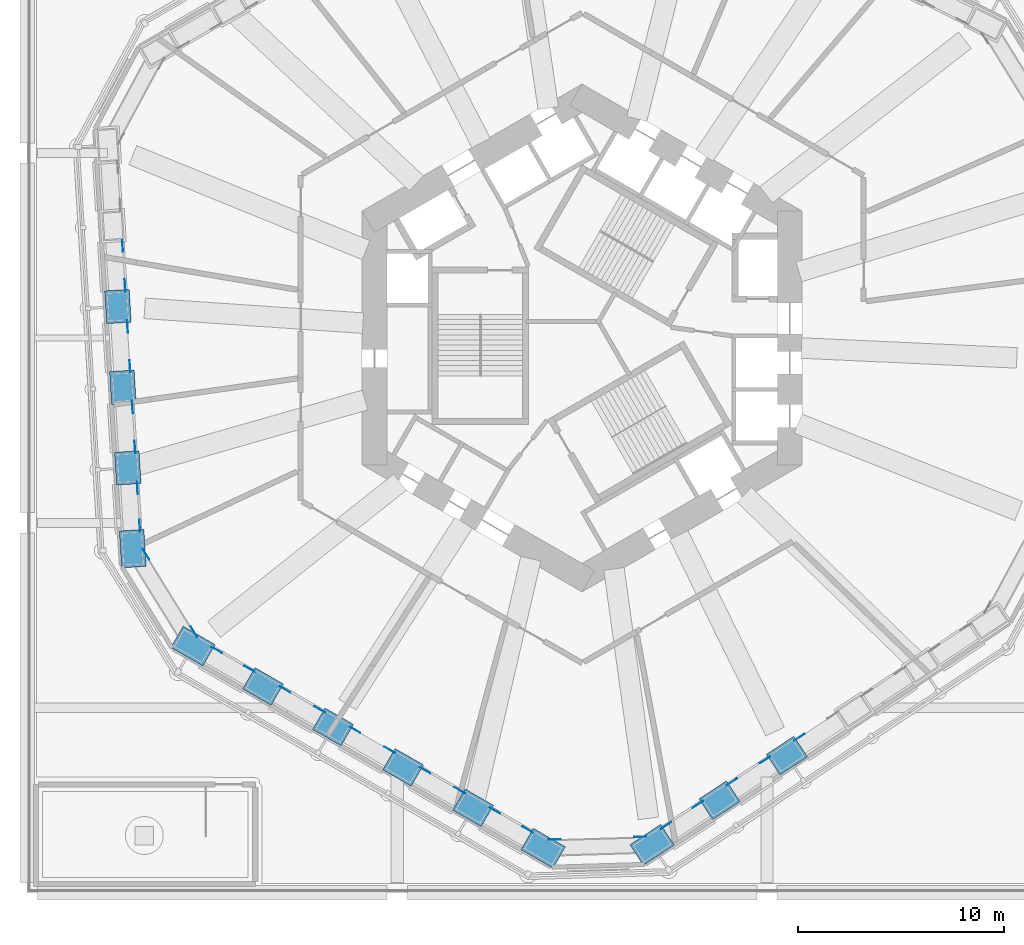
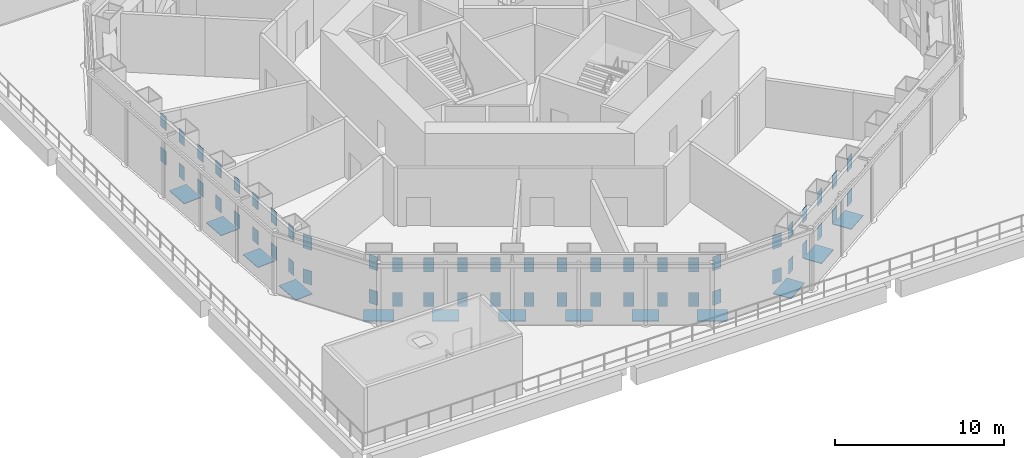
# One storey, part 12 of 20: 67 discrete accessories.
"""IFC4 building model written with IfcOpenShell, lengths in metres."""

import ifcopenshell
import ifcopenshell.guid

model = None  # the IFC model being written
_history = None  # IfcOwnerHistory: only IFC2X3 demands one
_inside = {}  # id of a spatial element -> (the spatial element, [elements in it])
_under = {}  # id of a project, library or spatial element -> (it, [spatial elements below it])
_declared = {}  # id of a project -> (the project, [libraries it declares])
_typed = {}  # id of a type object -> (the type object, [elements of that type])
_made_of = {}  # id of a material, layer set ... -> (it, [elements and type objects made of it])


def new_model(schema):
    """Start an empty IFC model of exactly this schema.

    Asked for "IFC4X3", IfcOpenShell would pick the latest addendum, in which some entities
    have other attributes; the version numbers below select the first issue.
    IFC2X3 requires an IfcOwnerHistory on every rooted entity: one is made here for all.
    """
    global model, _history
    if schema == "IFC4X3":
        model = ifcopenshell.file(schema_version=(4, 3, 0, 0))
    else:
        model = ifcopenshell.file(schema=schema)
    _inside.clear()
    _under.clear()
    _declared.clear()
    _typed.clear()
    _made_of.clear()
    _history = None
    if model.schema == "IFC2X3":
        org = make("IfcOrganization", Name="unknown")
        user = make(
            "IfcPersonAndOrganization",
            ThePerson=make("IfcPerson", FamilyName="unknown"),
            TheOrganization=org,
        )
        app = make(
            "IfcApplication",
            ApplicationDeveloper=org,
            Version="unknown",
            ApplicationFullName="unknown",
            ApplicationIdentifier="unknown",
        )
        _history = make(
            "IfcOwnerHistory",
            OwningUser=user,
            OwningApplication=app,
            ChangeAction="ADDED",
            CreationDate=0,
        )
    return model


def make(cls, **values):
    """One entity of the class cls with the attributes given. An attribute that is None is left unset."""
    return model.create_entity(
        cls, **{name: value for name, value in values.items() if value is not None}
    )


def rooted(cls, **values):
    """An entity with a GlobalId (a new one), such as an element, a storey or a relation."""
    return make(cls, GlobalId=ifcopenshell.guid.new(), OwnerHistory=_history, **values)


def si_unit(unit_type, name, prefix=None):
    """IfcSIUnit, for example si_unit("LENGTHUNIT", "METRE", prefix="MILLI")."""
    return make("IfcSIUnit", UnitType=unit_type, Prefix=prefix, Name=name)


def assignment(units):
    """IfcUnitAssignment: the units of a project."""
    return None if units is None else make("IfcUnitAssignment", Units=units)


def point(xyz):
    """IfcCartesianPoint."""
    return None if xyz is None else make("IfcCartesianPoint", Coordinates=xyz)


def direction(xyz):
    """IfcDirection."""
    return None if xyz is None else make("IfcDirection", DirectionRatios=xyz)


def frame(location, z_axis=None, x_axis=None):
    """IfcAxis2Placement3D, a coordinate frame: its origin and axes. An axis left out is left unset."""
    return make(
        "IfcAxis2Placement3D",
        Location=point(location),
        Axis=direction(z_axis),
        RefDirection=direction(x_axis),
    )


def frame_2d(location, x_axis=None):
    """IfcAxis2Placement2D, a coordinate frame in the plane: its origin and x axis."""
    return make(
        "IfcAxis2Placement2D", Location=point(location), RefDirection=direction(x_axis)
    )


def origin():
    """The frame at (0, 0, 0) with its axes left unset."""
    return frame((0.0, 0.0, 0.0))


def origin_2d():
    """The frame at (0, 0) in the plane with its x axis left unset."""
    return frame_2d((0.0, 0.0))


def place(relative_to, where):
    """IfcLocalPlacement: puts the frame where relative to a parent placement (None: the world)."""
    return make(
        "IfcLocalPlacement", PlacementRelTo=relative_to, RelativePlacement=where
    )


def context(
    kind, dimensions, precision=None, world=None, true_north=None, identifier=None
):
    """IfcGeometricRepresentationContext, for example the 3D "Model" context."""
    return make(
        "IfcGeometricRepresentationContext",
        ContextIdentifier=identifier,
        ContextType=kind,
        CoordinateSpaceDimension=dimensions,
        Precision=precision,
        WorldCoordinateSystem=world,
        TrueNorth=true_north,
    )


def subcontext(parent, identifier, kind, view, scale=None):
    """IfcGeometricRepresentationSubContext, for example "Body" below "Model"."""
    return make(
        "IfcGeometricRepresentationSubContext",
        ContextIdentifier=identifier,
        ContextType=kind,
        ParentContext=parent,
        TargetScale=scale,
        TargetView=view,
    )


def project(units=None, contexts=None):
    """IfcProject with its units and contexts."""
    return rooted(
        "IfcProject",
        Name="project",
        RepresentationContexts=contexts,
        UnitsInContext=assignment(units),
    )


def spatial(cls, under=None, at=None, **own):
    """A site, building, storey or space (cls), placed at a placement, below another one or the project."""
    s = rooted(cls, ObjectPlacement=at, **own)
    if under is not None:
        _under.setdefault(under.id(), (under, []))[1].append(s)
    return s


def profile(cls, at=None, kind="AREA", **sizes):
    """A parametric profile (cls). Its sizes go by their IFC names, for example OverallWidth=200.0."""
    return make(cls, ProfileType=kind, Position=at, **sizes)


def rectangle(**sizes):
    """IfcRectangleProfileDef."""
    return profile("IfcRectangleProfileDef", **sizes)


def extrude(swept, where, along, depth):
    """IfcExtrudedAreaSolid: the profile swept, set in the frame where, extruded along a direction by depth."""
    return make(
        "IfcExtrudedAreaSolid",
        SweptArea=swept,
        Position=where,
        ExtrudedDirection=direction(along),
        Depth=depth,
    )


def shape(context_of_items, identifier, shape_type, items):
    """IfcShapeRepresentation: the items that make up one representation, for example the "Body"."""
    return make(
        "IfcShapeRepresentation",
        ContextOfItems=context_of_items,
        RepresentationIdentifier=identifier,
        RepresentationType=shape_type,
        Items=items,
    )


def material(Name=None, Category=None):
    """IfcMaterial."""
    return make("IfcMaterial", Name=Name, Category=Category)


def layer(
    of_material, thickness, ventilated=None, Name=None, Category=None, Priority=None
):
    """IfcMaterialLayer: one layer of a wall or slab, of a material (None: an air gap)."""
    return make(
        "IfcMaterialLayer",
        Material=of_material,
        LayerThickness=thickness,
        IsVentilated=ventilated,
        Name=Name,
        Category=Category,
        Priority=Priority,
    )


def layer_set(layers, Name=None):
    """IfcMaterialLayerSet."""
    return make("IfcMaterialLayerSet", MaterialLayers=layers, LayerSetName=Name)


def made_of(thing, what):
    """Note that an element or type object is made of a material, layer set ...; save() writes the relation."""
    if what is not None:
        _made_of.setdefault(what.id(), (what, []))[1].append(thing)
    return thing


def type_object(cls, material=None, **own):
    """A type object (cls), such as IfcWallType, which elements share."""
    return made_of(rooted(cls, **own), material)


def element(
    cls,
    number,
    at=None,
    inside=None,
    cuts=None,
    type_object=None,
    material=None,
    context=None,
    identifier="Body",
    shape_type=None,
    held_by="IfcProductDefinitionShape",
    body=None,
    shapes=None,
    **own,
):
    """One element of the class cls, such as IfcWall. Its Tag is "e" and its number.

    at: its placement. inside: the storey or other place that contains it. cuts: it is an
    opening in that element (IfcRelVoidsElement). A single representation is given by context,
    identifier, shape_type and body (its items); several are given by shapes. held_by: the class
    of the entity that holds the representations. save() writes the other relations.
    """
    e = rooted(cls, Tag="e%d" % number, ObjectPlacement=at, **own)
    if body is not None:
        shapes = [shape(context, identifier, shape_type, body)]
    if shapes is not None:
        e.Representation = make(held_by, Representations=shapes)
    if inside is not None:
        _inside.setdefault(inside.id(), (inside, []))[1].append(e)
    if cuts is not None:
        rooted(
            "IfcRelVoidsElement", RelatingBuildingElement=cuts, RelatedOpeningElement=e
        )
    if type_object is not None:
        _typed.setdefault(type_object.id(), (type_object, []))[1].append(e)
    return made_of(e, material)


def aggregate(whole, parts):
    """IfcRelAggregates: a whole, such as a stair, and the parts it consists of."""
    return rooted("IfcRelAggregates", RelatingObject=whole, RelatedObjects=parts)


def save(model, path):
    """Write the relations noted so far, then the file.

    IfcRelAggregates (storeys below a building ...), IfcRelContainedInSpatialStructure (elements
    in a storey), IfcRelDefinesByType, IfcRelAssociatesMaterial and IfcRelDeclares: one each for
    every whole, place, type object, material and project.
    """
    for whole, parts in _under.values():
        aggregate(whole, parts)
    for where, things in _inside.values():
        rooted(
            "IfcRelContainedInSpatialStructure",
            RelatedElements=things,
            RelatingStructure=where,
        )
    for kind, things in _typed.values():
        rooted("IfcRelDefinesByType", RelatedObjects=things, RelatingType=kind)
    for what, things in _made_of.values():
        rooted("IfcRelAssociatesMaterial", RelatedObjects=things, RelatingMaterial=what)
    for by, libraries in _declared.values():
        rooted("IfcRelDeclares", RelatingContext=by, RelatedDefinitions=libraries)
    model.write(path)


model = new_model("IFC4")

# Units and contexts
model_context = context("Model", 3, precision=1e-05, world=origin(), true_north=direction((0.0, 1.0)))
body_context = subcontext(model_context, "Body", "Model", "MODEL_VIEW")
ifc_project = project(units=[si_unit("LENGTHUNIT", "METRE"), si_unit("AREAUNIT", "SQUARE_METRE"), si_unit("VOLUMEUNIT", "CUBIC_METRE"), si_unit("PLANEANGLEUNIT", "RADIAN"), si_unit("MASSUNIT", "GRAM", prefix="KILO")], contexts=[model_context])

# Site, building, storey
site_placement = place(None, origin())
site = spatial("IfcSite", under=ifc_project, at=site_placement, CompositionType="ELEMENT")
building_placement = place(site_placement, origin())
building = spatial("IfcBuilding", under=site, at=building_placement, Name="Vanh Sen Convention Tower", CompositionType="ELEMENT")
storey_placement = place(building_placement, frame((0.0, 0.0, 34.5)))
storey = spatial("IfcBuildingStorey", under=building, at=storey_placement, Name="L05", CompositionType="ELEMENT", Elevation=34.5)

# Discrete accessories
ifc_material = material(Name="Steel S355", Category="steel")
ifc_layer_1 = layer(ifc_material, 0.02001953125)
ifc_layer_set_1 = layer_set([ifc_layer_1], Name="Steel S355")
discrete_accessory_type_1 = type_object("IfcDiscreteAccessoryType", Name="Transfer truss gusset plate 600 x 1000 x 20", PredefinedType="USERDEFINED", material=ifc_layer_set_1)
for number, where, z_axis, x_axis, name in (
    (1, (-22.355712890625, 4.48779296875, 0.0), (0.0, 0.0, 1.0), (0.061048539535, -0.998134798422, 0.0), "GUSSET PLATE transfer truss chord bottom 20 L05 start"),
    (2, (-22.23681640625, 2.546875, 0.0), (0.0, 0.0, 1.0), (-0.061048539535, 0.998134798422, 0.0), "GUSSET PLATE transfer truss chord bottom 20 L05 end"),
    (3, (-22.355712890625, 4.48779296875, 2.5), (0.0, 0.0, 1.0), (0.061048539535, -0.998134798422, 0.0), "GUSSET PLATE transfer truss chord top 20 L05 start"),
    (4, (-22.23681640625, 2.546875, 2.5), (0.0, 0.0, 1.0), (-0.061048539535, 0.998134798422, 0.0), "GUSSET PLATE transfer truss chord top 20 L05 end"),
    (5, (-22.115478515625, 0.560546875, 0.0), (0.0, 0.0, 1.0), (0.061046797461, -0.99813490497, 0.0), "GUSSET PLATE transfer truss chord bottom 21 L05 start"),
    (6, (-21.99658203125, -1.380615234375, 0.0), (0.0, 0.0, 1.0), (-0.061046797461, 0.99813490497, 0.0), "GUSSET PLATE transfer truss chord bottom 21 L05 end"),
    (7, (-22.115478515625, 0.560546875, 2.5), (0.0, 0.0, 1.0), (0.061046797461, -0.99813490497, 0.0), "GUSSET PLATE transfer truss chord top 21 L05 start"),
    (8, (-21.99658203125, -1.380615234375, 2.5), (0.0, 0.0, 1.0), (-0.061046797461, 0.99813490497, 0.0), "GUSSET PLATE transfer truss chord top 21 L05 end"),
    (9, (-21.875244140625, -3.36669921875, 0.0), (0.0, 0.0, 1.0), (0.061048539535, -0.998134798422, 0.0), "GUSSET PLATE transfer truss chord bottom 22 L05 start"),
    (10, (-21.756591796875, -5.3076171875, 0.0), (0.0, 0.0, 1.0), (-0.061048539535, 0.998134798422, 0.0), "GUSSET PLATE transfer truss chord bottom 22 L05 end"),
    (11, (-21.875244140625, -3.36669921875, 2.5), (0.0, 0.0, 1.0), (0.061048539535, -0.998134798422, 0.0), "GUSSET PLATE transfer truss chord top 22 L05 start"),
    (12, (-21.756591796875, -5.3076171875, 2.5), (0.0, 0.0, 1.0), (-0.061048539535, 0.998134798422, 0.0), "GUSSET PLATE transfer truss chord top 22 L05 end"),
    (13, (-21.635009765625, -7.2939453125, 0.0), (0.0, 0.0, 1.0), (0.061046797461, -0.99813490497, 0.0), "GUSSET PLATE transfer truss chord bottom 23 L05 start"),
    (14, (-21.5224609375, -9.13525390625, 0.0), (0.0, 0.0, 1.0), (-0.061046797461, 0.99813490497, 0.0), "GUSSET PLATE transfer truss chord bottom 23 L05 end"),
    (15, (-21.635009765625, -7.2939453125, 2.5), (0.0, 0.0, 1.0), (0.061046797461, -0.99813490497, 0.0), "GUSSET PLATE transfer truss chord top 23 L05 start"),
    (16, (-21.5224609375, -9.13525390625, 2.5), (0.0, 0.0, 1.0), (-0.061046797461, 0.99813490497, 0.0), "GUSSET PLATE transfer truss chord top 23 L05 end"),
    (17, (-21.21630859375, -10.52197265625, 0.0), (0.0, 0.0, 1.0), (0.526202050444, -0.850359572245, 0.0), "GUSSET PLATE transfer truss chord bottom 24 L05 start"),
    (18, (-18.883056640625, -14.29248046875, 0.0), (0.0, 0.0, 1.0), (-0.526202050444, 0.850359572245, 0.0), "GUSSET PLATE transfer truss chord bottom 24 L05 end"),
    (19, (-21.21630859375, -10.52197265625, 2.5), (0.0, 0.0, 1.0), (0.526202050444, -0.850359572245, 0.0), "GUSSET PLATE transfer truss chord top 24 L05 start"),
    (20, (-18.883056640625, -14.29248046875, 2.5), (0.0, 0.0, 1.0), (-0.526202050444, 0.850359572245, 0.0), "GUSSET PLATE transfer truss chord top 24 L05 end"),
    (21, (-17.77880859375, -15.18505859375, 0.0), (0.0, 0.0, 1.0), (0.866028021766, -0.499995465495, 0.0), "GUSSET PLATE transfer truss chord bottom 25 L05 start"),
    (22, (-16.18115234375, -16.107421875, 0.0), (0.0, 0.0, 1.0), (-0.866028021766, 0.499995465495, 0.0), "GUSSET PLATE transfer truss chord bottom 25 L05 end"),
    (23, (-17.77880859375, -15.18505859375, 2.5), (0.0, 0.0, 1.0), (0.866028021766, -0.499995465495, 0.0), "GUSSET PLATE transfer truss chord top 25 L05 start"),
    (24, (-16.18115234375, -16.107421875, 2.5), (0.0, 0.0, 1.0), (-0.866028021766, 0.499995465495, 0.0), "GUSSET PLATE transfer truss chord top 25 L05 end"),
    (25, (-14.457763671875, -17.102294921875, 0.0), (0.0, 0.0, 1.0), (0.866032385017, -0.499987907955, 0.0), "GUSSET PLATE transfer truss chord bottom 26 L05 start"),
    (26, (-12.773681640625, -18.07470703125, 0.0), (0.0, 0.0, 1.0), (-0.866032385017, 0.499987907956, 0.0), "GUSSET PLATE transfer truss chord bottom 26 L05 end"),
    (27, (-14.457763671875, -17.102294921875, 2.5), (0.0, 0.0, 1.0), (0.866032385017, -0.499987907955, 0.0), "GUSSET PLATE transfer truss chord top 26 L05 start"),
    (28, (-12.773681640625, -18.07470703125, 2.5), (0.0, 0.0, 1.0), (-0.866032385017, 0.499987907956, 0.0), "GUSSET PLATE transfer truss chord top 26 L05 end"),
    (29, (-11.05029296875, -19.069580078125, 0.0), (0.0, 0.0, 1.0), (0.866028021766, -0.499995465495, 0.0), "GUSSET PLATE transfer truss chord bottom 27 L05 start"),
    (30, (-9.3662109375, -20.0419921875, 0.0), (0.0, 0.0, 1.0), (-0.866028021766, 0.499995465495, 0.0), "GUSSET PLATE transfer truss chord bottom 27 L05 end"),
    (31, (-11.05029296875, -19.069580078125, 2.5), (0.0, 0.0, 1.0), (0.866028021766, -0.499995465495, 0.0), "GUSSET PLATE transfer truss chord top 27 L05 start"),
    (32, (-9.3662109375, -20.0419921875, 2.5), (0.0, 0.0, 1.0), (-0.866028021766, 0.499995465495, 0.0), "GUSSET PLATE transfer truss chord top 27 L05 end"),
    (33, (-7.642822265625, -21.036865234375, 0.0), (0.0, 0.0, 1.0), (0.866028021766, -0.499995465495, 0.0), "GUSSET PLATE transfer truss chord bottom 28 L05 start"),
    (34, (-5.958740234375, -22.00927734375, 0.0), (0.0, 0.0, 1.0), (-0.866028021766, 0.499995465495, 0.0), "GUSSET PLATE transfer truss chord bottom 28 L05 end"),
    (35, (-7.642822265625, -21.036865234375, 2.5), (0.0, 0.0, 1.0), (0.866028021766, -0.499995465495, 0.0), "GUSSET PLATE transfer truss chord top 28 L05 start"),
    (36, (-5.958740234375, -22.00927734375, 2.5), (0.0, 0.0, 1.0), (-0.866028021766, 0.499995465495, 0.0), "GUSSET PLATE transfer truss chord top 28 L05 end"),
    (37, (-4.2353515625, -23.004150390625, 0.0), (0.0, 0.0, 1.0), (0.866021040428, -0.500007557478, 0.0), "GUSSET PLATE transfer truss chord bottom 29 L05 start"),
    (38, (-2.637939453125, -23.926513671875, 0.0), (0.0, 0.0, 1.0), (-0.866021040428, 0.500007557478, 0.0), "GUSSET PLATE transfer truss chord bottom 29 L05 end"),
    (39, (-4.2353515625, -23.004150390625, 2.5), (0.0, 0.0, 1.0), (0.866021040428, -0.500007557478, 0.0), "GUSSET PLATE transfer truss chord top 29 L05 start"),
    (40, (-2.637939453125, -23.926513671875, 2.5), (0.0, 0.0, 1.0), (-0.866021040428, 0.500007557478, 0.0), "GUSSET PLATE transfer truss chord top 29 L05 end"),
    (41, (-1.341064453125, -24.402099609375, 0.0), (0.0, 0.0, 1.0), (0.999533484231, 0.03054200224, 0.0), "GUSSET PLATE transfer truss chord bottom 30 L05 start"),
    (42, (2.828125, -24.274658203125, 0.0), (0.0, 0.0, 1.0), (-0.999533484231, -0.03054200224, 0.0), "GUSSET PLATE transfer truss chord bottom 30 L05 end"),
    (43, (-1.341064453125, -24.402099609375, 2.5), (0.0, 0.0, 1.0), (0.999533484231, 0.03054200224, 0.0), "GUSSET PLATE transfer truss chord top 30 L05 start"),
    (44, (2.828125, -24.274658203125, 2.5), (0.0, 0.0, 1.0), (-0.999533484231, -0.03054200224, 0.0), "GUSSET PLATE transfer truss chord top 30 L05 end"),
    (45, (4.09375, -23.720947265625, 0.0), (0.0, 0.0, 1.0), (0.833891601892, 0.55192825285, 0.0), "GUSSET PLATE transfer truss chord bottom 31 L05 start"),
    (46, (5.6318359375, -22.702880859375, 0.0), (0.0, 0.0, 1.0), (-0.833891601892, -0.55192825285, 0.0), "GUSSET PLATE transfer truss chord bottom 31 L05 end"),
    (47, (4.09375, -23.720947265625, 2.5), (0.0, 0.0, 1.0), (0.833891601892, 0.55192825285, 0.0), "GUSSET PLATE transfer truss chord top 31 L05 start"),
    (48, (5.6318359375, -22.702880859375, 2.5), (0.0, 0.0, 1.0), (-0.833891601892, -0.55192825285, 0.0), "GUSSET PLATE transfer truss chord top 31 L05 end"),
    (49, (7.29150390625, -21.6044921875, 0.0), (0.0, 0.0, 1.0), (0.833891601892, 0.55192825285, 0.0), "GUSSET PLATE transfer truss chord bottom 32 L05 start"),
    (50, (8.912841796875, -20.53125, 0.0), (0.0, 0.0, 1.0), (-0.833891601892, -0.55192825285, 0.0), "GUSSET PLATE transfer truss chord bottom 32 L05 end"),
    (51, (7.29150390625, -21.6044921875, 2.5), (0.0, 0.0, 1.0), (0.833891601892, 0.55192825285, 0.0), "GUSSET PLATE transfer truss chord top 32 L05 start"),
    (52, (8.912841796875, -20.53125, 2.5), (0.0, 0.0, 1.0), (-0.833891601892, -0.55192825285, 0.0), "GUSSET PLATE transfer truss chord top 32 L05 end"),
    (53, (10.572265625, -19.432861328125, 0.0), (0.0, 0.0, 1.0), (0.833880042151, 0.551945717714, 0.0), "GUSSET PLATE transfer truss chord bottom 33 L05 start"),
    (54, (10.572265625, -19.432861328125, 2.5), (0.0, 0.0, 1.0), (0.833880042151, 0.551945717714, 0.0), "GUSSET PLATE transfer truss chord top 33 L05 start"),
):
    element("IfcDiscreteAccessory", number, at=place(storey_placement, frame(where, z_axis=z_axis, x_axis=x_axis)), inside=storey, type_object=discrete_accessory_type_1, Name=name, ObjectType="GUSSET PLATE", PredefinedType="USERDEFINED", context=body_context, shape_type="SweptSolid", body=[
        extrude(rectangle(XDim=0.60009765625, YDim=0.02001953125, at=origin_2d()), origin(), (0.0, 0.0, 1.0), 1.0),
    ])
ifc_layer_2 = layer(ifc_material, 0.044921875)
ifc_layer_set_2 = layer_set([ifc_layer_2], Name="Steel S355")
discrete_accessory_type_2 = type_object("IfcDiscreteAccessoryType", Name="Transfer truss post bearing plate 1600 x 1200 x 45", PredefinedType="USERDEFINED", material=ifc_layer_set_2)
for number, where, z_axis, x_axis, name in (
    (55, (-22.58544921875, 1.528564453125, -0.39501953125), (0.0, 0.0, 1.0), (0.061048539535, -0.998134798422, 0.0), "BEARING PLATE transfer truss post 21"),
    (56, (-22.34521484375, -2.398681640625, -0.39501953125), (0.0, 0.0, 1.0), (0.061048539535, -0.998134798422, 0.0), "BEARING PLATE transfer truss post 22"),
    (57, (-22.10498046875, -6.325927734375, -0.39501953125), (0.0, 0.0, 1.0), (0.061048539535, -0.998134798422, 0.0), "BEARING PLATE transfer truss post 23"),
    (58, (-15.5244140625, -16.9599609375, -0.39501953125), (0.0, 0.0, 1.0), (0.866025403784, -0.5, 0.0), "BEARING PLATE transfer truss post 26"),
    (59, (-12.1171875, -18.92724609375, -0.39501953125), (0.0, 0.0, 1.0), (0.866025403784, -0.5, 0.0), "BEARING PLATE transfer truss post 27"),
    (60, (-8.709716796875, -20.89453125, -0.39501953125), (0.0, 0.0, 1.0), (0.866025403784, -0.5, 0.0), "BEARING PLATE transfer truss post 28"),
    (61, (-5.302001953125, -22.86181640625, -0.39501953125), (0.0, 0.0, 1.0), (0.866025403784, -0.5, 0.0), "BEARING PLATE transfer truss post 29"),
    (62, (6.68798828125, -22.49560546875, -0.39501953125), (0.0, 0.0, 1.0), (0.833885822067, 0.551936985312, 0.0), "BEARING PLATE transfer truss post 32"),
    (63, (9.968994140625, -20.323974609375, -0.39501953125), (0.0, 0.0, 1.0), (0.833885822067, 0.551936985312, 0.0), "BEARING PLATE transfer truss post 33"),
):
    element("IfcDiscreteAccessory", number, at=place(storey_placement, frame(where, z_axis=z_axis, x_axis=x_axis)), inside=storey, type_object=discrete_accessory_type_2, Name=name, ObjectType="BEARING PLATE", PredefinedType="USERDEFINED", context=body_context, shape_type="SweptSolid", body=[
        extrude(rectangle(XDim=1.60009765625, YDim=1.199951171875, at=origin_2d()), origin(), (0.0, 0.0, 1.0), 0.044921875),
    ])
ifc_layer_3 = layer(ifc_material, 0.044921875)
ifc_layer_set_3 = layer_set([ifc_layer_3], Name="Steel S355")
discrete_accessory_type_3 = type_object("IfcDiscreteAccessoryType", Name="Transfer truss post bearing plate 1800 x 1200 x 45", PredefinedType="USERDEFINED", material=ifc_layer_set_3)
for number, where, z_axis, x_axis, name in (
    (64, (-21.86474609375, -10.253173828125, -0.39501953125), (0.0, 0.0, 1.0), (0.061048539535, -0.998134798422, 0.0), "BEARING PLATE transfer truss post 24"),
    (65, (-18.931884765625, -14.99267578125, -0.39501953125), (0.0, 0.0, 1.0), (0.866025403784, -0.5, 0.0), "BEARING PLATE transfer truss post 25"),
    (66, (-1.894775390625, -24.8291015625, -0.39501953125), (0.0, 0.0, 1.0), (0.866025403784, -0.5, 0.0), "BEARING PLATE transfer truss post 30"),
    (67, (3.406982421875, -24.6669921875, -0.39501953125), (0.0, 0.0, 1.0), (0.833885822067, 0.551936985312, 0.0), "BEARING PLATE transfer truss post 31"),
):
    element("IfcDiscreteAccessory", number, at=place(storey_placement, frame(where, z_axis=z_axis, x_axis=x_axis)), inside=storey, type_object=discrete_accessory_type_3, Name=name, ObjectType="BEARING PLATE", PredefinedType="USERDEFINED", context=body_context, shape_type="SweptSolid", body=[
        extrude(rectangle(XDim=1.800048828125, YDim=1.199951171875, at=origin_2d()), origin(), (0.0, 0.0, 1.0), 0.044921875),
    ])

save(model, "model.ifc")
